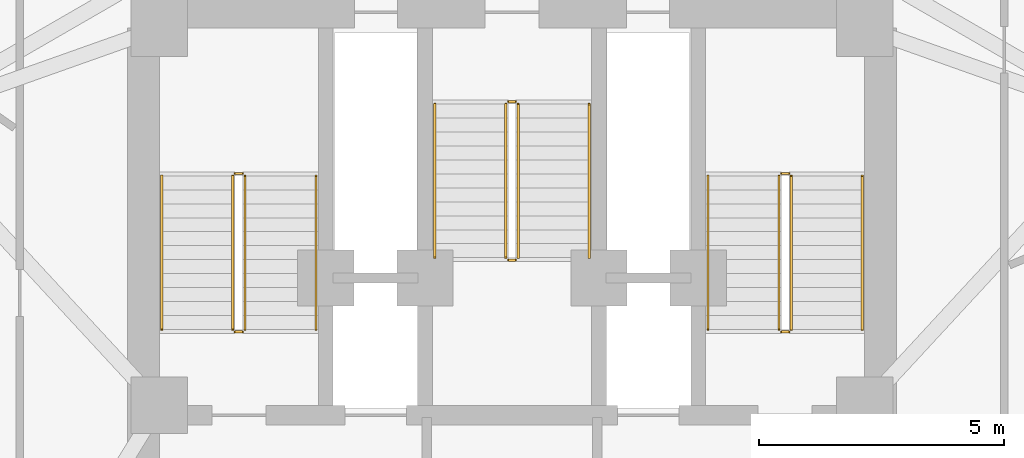
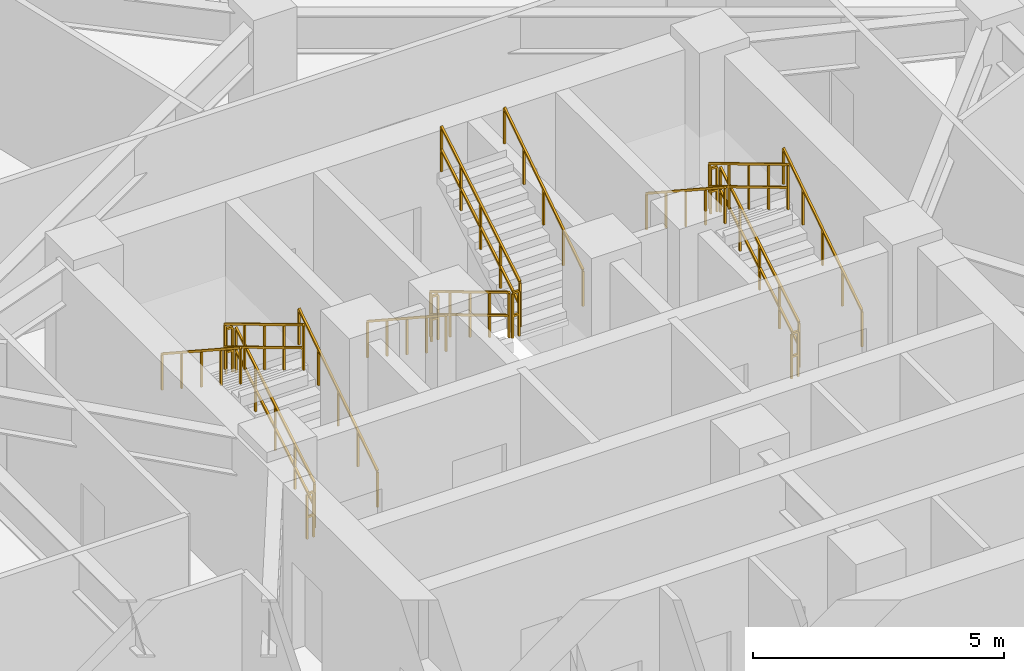
# One storey, part 10 of 11: 18 railings.
"""IFC4 building model written with IfcOpenShell, lengths in metres."""

from ifc_helpers import new_model, si_unit, direction, frame, origin, origin_2d, place, context, subcontext, project, spatial, rectangle, extrude, material, type_object, element, save


model = new_model("IFC4")

# Units and contexts
model_context = context("Model", 3, precision=1e-05, world=origin(), true_north=direction((0.0, 1.0)))
body_context = subcontext(model_context, "Body", "Model", "MODEL_VIEW")
ifc_project = project(units=[si_unit("LENGTHUNIT", "METRE"), si_unit("AREAUNIT", "SQUARE_METRE"), si_unit("VOLUMEUNIT", "CUBIC_METRE"), si_unit("PLANEANGLEUNIT", "RADIAN"), si_unit("MASSUNIT", "GRAM", prefix="KILO")], contexts=[model_context])

# Site, building, storey
site_placement = place(None, origin())
site = spatial("IfcSite", under=ifc_project, at=site_placement, CompositionType="ELEMENT")
building_placement = place(site_placement, origin())
building = spatial("IfcBuilding", under=site, at=building_placement, Name="Apsidion Concourse Tower", CompositionType="ELEMENT")
storey_placement = place(building_placement, frame((0.0, 0.0, 214.699951171875)))
storey = spatial("IfcBuildingStorey", under=building, at=storey_placement, Name="L50", CompositionType="ELEMENT", Elevation=214.699951171875)

# Railings
ifc_material = material(Name="Brushed stainless steel 316", Category="steel")
railing_type_1 = type_object("IfcRailingType", Name="RL-GUARD-1100", PredefinedType="GUARDRAIL", material=ifc_material)
railing_1_placement = place(storey_placement, frame((-5.449951171875, 3.0, 0.1708984375)))
element("IfcRailing", 1, at=railing_1_placement, inside=storey, type_object=railing_type_1, Name="L50 ST1 stair guard 1", PredefinedType="GUARDRAIL", context=body_context, shape_type="SweptSolid", body=[
    extrude(rectangle(XDim=0.048095703125, YDim=0.048095703125, at=origin_2d()), frame((0.0, 0.0, 1.09619140625), z_axis=(0.0, 0.857716804754, 0.514122439544), x_axis=(-1.0, 0.0, 0.0)), (0.0, 0.0, 1.0), 3.655029296875),
    extrude(rectangle(XDim=0.048095703125, YDim=0.048095703125, at=origin_2d()), frame((0.0, 0.0, 0.5361328125), z_axis=(0.0, 0.857716804754, 0.514122439544), x_axis=(-1.0, 0.0, 0.0)), (0.0, 0.0, 1.0), 3.655029296875),
    extrude(rectangle(XDim=0.0419921875, YDim=0.0419921875, at=origin_2d()), origin(), (0.0, 0.0, 1.0), 1.072021484375),
    extrude(rectangle(XDim=0.0419921875, YDim=0.0419921875, at=origin_2d()), frame((0.0, 0.78369140625, 0.4697265625)), (0.0, 0.0, 1.0), 1.072021484375),
    extrude(rectangle(XDim=0.0419921875, YDim=0.0419921875, at=origin_2d()), frame((0.0, 1.5673828125, 0.939453125)), (0.0, 0.0, 1.0), 1.072021484375),
    extrude(rectangle(XDim=0.0419921875, YDim=0.0419921875, at=origin_2d()), frame((0.0, 2.351318359375, 1.409423828125)), (0.0, 0.0, 1.0), 1.072021484375),
    extrude(rectangle(XDim=0.0419921875, YDim=0.0419921875, at=origin_2d()), frame((0.0, 3.135009765625, 1.879150390625)), (0.0, 0.0, 1.0), 1.072021484375),
])
railing_2_placement = place(storey_placement, frame((-5.5, 6.18505859375, 2.050048828125)))
element("IfcRailing", 2, at=railing_2_placement, inside=storey, type_object=railing_type_1, Name="L50 ST1 stair guard 2", PredefinedType="GUARDRAIL", context=body_context, shape_type="SweptSolid", body=[
    extrude(rectangle(XDim=0.048095703125, YDim=0.048095703125, at=origin_2d()), frame((0.0, 0.0, 1.09619140625), z_axis=(-1.0, 0.0, 0.0), x_axis=(0.0, -1.0, 0.0)), (0.0, 0.0, 1.0), 0.14990234375),
    extrude(rectangle(XDim=0.048095703125, YDim=0.048095703125, at=origin_2d()), frame((0.0, 0.0, 0.5361328125), z_axis=(-1.0, 0.0, 0.0), x_axis=(0.0, -1.0, 0.0)), (0.0, 0.0, 1.0), 0.14990234375),
    extrude(rectangle(XDim=0.0419921875, YDim=0.0419921875, at=origin_2d()), origin(), (0.0, 0.0, 1.0), 1.072021484375),
    extrude(rectangle(XDim=0.0419921875, YDim=0.0419921875, at=origin_2d()), frame((-0.14990234375, 0.0, 0.0)), (0.0, 0.0, 1.0), 1.072021484375),
])
railing_3_placement = place(storey_placement, frame((-5.699951171875, 6.135009765625, 2.220947265625)))
element("IfcRailing", 3, at=railing_3_placement, inside=storey, type_object=railing_type_1, Name="L50 ST1 stair guard 3", PredefinedType="GUARDRAIL", context=body_context, shape_type="SweptSolid", body=[
    extrude(rectangle(XDim=0.048095703125, YDim=0.048095703125, at=origin_2d()), frame((0.0, 0.0, 1.09619140625), z_axis=(0.0, -0.857716804754, 0.514122439544), x_axis=(1.0, 0.0, 0.0)), (0.0, 0.0, 1.0), 3.655029296875),
    extrude(rectangle(XDim=0.048095703125, YDim=0.048095703125, at=origin_2d()), frame((0.0, 0.0, 0.5361328125), z_axis=(0.0, -0.857716804754, 0.514122439544), x_axis=(1.0, 0.0, 0.0)), (0.0, 0.0, 1.0), 3.655029296875),
    extrude(rectangle(XDim=0.0419921875, YDim=0.0419921875, at=origin_2d()), origin(), (0.0, 0.0, 1.0), 1.072021484375),
    extrude(rectangle(XDim=0.0419921875, YDim=0.0419921875, at=origin_2d()), frame((0.0, -0.78369140625, 0.4697265625)), (0.0, 0.0, 1.0), 1.072021484375),
    extrude(rectangle(XDim=0.0419921875, YDim=0.0419921875, at=origin_2d()), frame((0.0, -1.5673828125, 0.939453125)), (0.0, 0.0, 1.0), 1.072021484375),
    extrude(rectangle(XDim=0.0419921875, YDim=0.0419921875, at=origin_2d()), frame((0.0, -2.351318359375, 1.409423828125)), (0.0, 0.0, 1.0), 1.072021484375),
    extrude(rectangle(XDim=0.0419921875, YDim=0.0419921875, at=origin_2d()), frame((0.0, -3.135009765625, 1.879150390625)), (0.0, 0.0, 1.0), 1.072021484375),
])
railing_4_placement = place(storey_placement, frame((-5.5, 2.949951171875, 0.0)))
element("IfcRailing", 4, at=railing_4_placement, inside=storey, type_object=railing_type_1, Name="L50 ST1 stair guard 4", PredefinedType="GUARDRAIL", context=body_context, shape_type="SweptSolid", body=[
    extrude(rectangle(XDim=0.048095703125, YDim=0.048095703125, at=origin_2d()), frame((0.0, 0.0, 1.09619140625), z_axis=(-1.0, 0.0, 0.0), x_axis=(0.0, -1.0, 0.0)), (0.0, 0.0, 1.0), 0.14990234375),
    extrude(rectangle(XDim=0.048095703125, YDim=0.048095703125, at=origin_2d()), frame((0.0, 0.0, 0.5361328125), z_axis=(-1.0, 0.0, 0.0), x_axis=(0.0, -1.0, 0.0)), (0.0, 0.0, 1.0), 0.14990234375),
    extrude(rectangle(XDim=0.0419921875, YDim=0.0419921875, at=origin_2d()), origin(), (0.0, 0.0, 1.0), 1.072021484375),
    extrude(rectangle(XDim=0.0419921875, YDim=0.0419921875, at=origin_2d()), frame((-0.14990234375, 0.0, 0.0)), (0.0, 0.0, 1.0), 1.072021484375),
])
railing_5_placement = place(storey_placement, frame((5.699951171875, 3.0, 0.1708984375)))
element("IfcRailing", 5, at=railing_5_placement, inside=storey, type_object=railing_type_1, Name="L50 ST2 stair guard 1", PredefinedType="GUARDRAIL", context=body_context, shape_type="SweptSolid", body=[
    extrude(rectangle(XDim=0.048095703125, YDim=0.048095703125, at=origin_2d()), frame((0.0, 0.0, 1.09619140625), z_axis=(0.0, 0.857716804754, 0.514122439544), x_axis=(-1.0, 0.0, 0.0)), (0.0, 0.0, 1.0), 3.655029296875),
    extrude(rectangle(XDim=0.048095703125, YDim=0.048095703125, at=origin_2d()), frame((0.0, 0.0, 0.5361328125), z_axis=(0.0, 0.857716804754, 0.514122439544), x_axis=(-1.0, 0.0, 0.0)), (0.0, 0.0, 1.0), 3.655029296875),
    extrude(rectangle(XDim=0.0419921875, YDim=0.0419921875, at=origin_2d()), origin(), (0.0, 0.0, 1.0), 1.072021484375),
    extrude(rectangle(XDim=0.0419921875, YDim=0.0419921875, at=origin_2d()), frame((0.0, 0.78369140625, 0.4697265625)), (0.0, 0.0, 1.0), 1.072021484375),
    extrude(rectangle(XDim=0.0419921875, YDim=0.0419921875, at=origin_2d()), frame((0.0, 1.5673828125, 0.939453125)), (0.0, 0.0, 1.0), 1.072021484375),
    extrude(rectangle(XDim=0.0419921875, YDim=0.0419921875, at=origin_2d()), frame((0.0, 2.351318359375, 1.409423828125)), (0.0, 0.0, 1.0), 1.072021484375),
    extrude(rectangle(XDim=0.0419921875, YDim=0.0419921875, at=origin_2d()), frame((0.0, 3.135009765625, 1.879150390625)), (0.0, 0.0, 1.0), 1.072021484375),
])
railing_6_placement = place(storey_placement, frame((5.64990234375, 6.18505859375, 2.050048828125)))
element("IfcRailing", 6, at=railing_6_placement, inside=storey, type_object=railing_type_1, Name="L50 ST2 stair guard 2", PredefinedType="GUARDRAIL", context=body_context, shape_type="SweptSolid", body=[
    extrude(rectangle(XDim=0.048095703125, YDim=0.048095703125, at=origin_2d()), frame((0.0, 0.0, 1.09619140625), z_axis=(-1.0, 0.0, 0.0), x_axis=(0.0, -1.0, 0.0)), (0.0, 0.0, 1.0), 0.14990234375),
    extrude(rectangle(XDim=0.048095703125, YDim=0.048095703125, at=origin_2d()), frame((0.0, 0.0, 0.5361328125), z_axis=(-1.0, 0.0, 0.0), x_axis=(0.0, -1.0, 0.0)), (0.0, 0.0, 1.0), 0.14990234375),
    extrude(rectangle(XDim=0.0419921875, YDim=0.0419921875, at=origin_2d()), origin(), (0.0, 0.0, 1.0), 1.072021484375),
    extrude(rectangle(XDim=0.0419921875, YDim=0.0419921875, at=origin_2d()), frame((-0.14990234375, 0.0, 0.0)), (0.0, 0.0, 1.0), 1.072021484375),
])
railing_7_placement = place(storey_placement, frame((5.449951171875, 6.135009765625, 2.220947265625)))
element("IfcRailing", 7, at=railing_7_placement, inside=storey, type_object=railing_type_1, Name="L50 ST2 stair guard 3", PredefinedType="GUARDRAIL", context=body_context, shape_type="SweptSolid", body=[
    extrude(rectangle(XDim=0.048095703125, YDim=0.048095703125, at=origin_2d()), frame((0.0, 0.0, 1.09619140625), z_axis=(0.0, -0.857716804754, 0.514122439544), x_axis=(1.0, 0.0, 0.0)), (0.0, 0.0, 1.0), 3.655029296875),
    extrude(rectangle(XDim=0.048095703125, YDim=0.048095703125, at=origin_2d()), frame((0.0, 0.0, 0.5361328125), z_axis=(0.0, -0.857716804754, 0.514122439544), x_axis=(1.0, 0.0, 0.0)), (0.0, 0.0, 1.0), 3.655029296875),
    extrude(rectangle(XDim=0.0419921875, YDim=0.0419921875, at=origin_2d()), origin(), (0.0, 0.0, 1.0), 1.072021484375),
    extrude(rectangle(XDim=0.0419921875, YDim=0.0419921875, at=origin_2d()), frame((0.0, -0.78369140625, 0.4697265625)), (0.0, 0.0, 1.0), 1.072021484375),
    extrude(rectangle(XDim=0.0419921875, YDim=0.0419921875, at=origin_2d()), frame((0.0, -1.5673828125, 0.939453125)), (0.0, 0.0, 1.0), 1.072021484375),
    extrude(rectangle(XDim=0.0419921875, YDim=0.0419921875, at=origin_2d()), frame((0.0, -2.351318359375, 1.409423828125)), (0.0, 0.0, 1.0), 1.072021484375),
    extrude(rectangle(XDim=0.0419921875, YDim=0.0419921875, at=origin_2d()), frame((0.0, -3.135009765625, 1.879150390625)), (0.0, 0.0, 1.0), 1.072021484375),
])
railing_8_placement = place(storey_placement, frame((5.64990234375, 2.949951171875, 0.0)))
element("IfcRailing", 8, at=railing_8_placement, inside=storey, type_object=railing_type_1, Name="L50 ST2 stair guard 4", PredefinedType="GUARDRAIL", context=body_context, shape_type="SweptSolid", body=[
    extrude(rectangle(XDim=0.048095703125, YDim=0.048095703125, at=origin_2d()), frame((0.0, 0.0, 1.09619140625), z_axis=(-1.0, 0.0, 0.0), x_axis=(0.0, -1.0, 0.0)), (0.0, 0.0, 1.0), 0.14990234375),
    extrude(rectangle(XDim=0.048095703125, YDim=0.048095703125, at=origin_2d()), frame((0.0, 0.0, 0.5361328125), z_axis=(-1.0, 0.0, 0.0), x_axis=(0.0, -1.0, 0.0)), (0.0, 0.0, 1.0), 0.14990234375),
    extrude(rectangle(XDim=0.0419921875, YDim=0.0419921875, at=origin_2d()), origin(), (0.0, 0.0, 1.0), 1.072021484375),
    extrude(rectangle(XDim=0.0419921875, YDim=0.0419921875, at=origin_2d()), frame((-0.14990234375, 0.0, 0.0)), (0.0, 0.0, 1.0), 1.072021484375),
])
railing_9_placement = place(storey_placement, frame((-0.125, 7.60009765625, 0.1708984375)))
element("IfcRailing", 9, at=railing_9_placement, inside=storey, type_object=railing_type_1, Name="L50 ST3 stair guard 1", PredefinedType="GUARDRAIL", context=body_context, shape_type="SweptSolid", body=[
    extrude(rectangle(XDim=0.048095703125, YDim=0.048095703125, at=origin_2d()), frame((0.0, 0.0, 1.09619140625), z_axis=(0.0, -0.857716804754, 0.514122439544), x_axis=(1.0, 0.0, 0.0)), (0.0, 0.0, 1.0), 3.655029296875),
    extrude(rectangle(XDim=0.048095703125, YDim=0.048095703125, at=origin_2d()), frame((0.0, 0.0, 0.5361328125), z_axis=(0.0, -0.857716804754, 0.514122439544), x_axis=(1.0, 0.0, 0.0)), (0.0, 0.0, 1.0), 3.655029296875),
    extrude(rectangle(XDim=0.0419921875, YDim=0.0419921875, at=origin_2d()), origin(), (0.0, 0.0, 1.0), 1.072021484375),
    extrude(rectangle(XDim=0.0419921875, YDim=0.0419921875, at=origin_2d()), frame((0.0, -0.78369140625, 0.4697265625)), (0.0, 0.0, 1.0), 1.072021484375),
    extrude(rectangle(XDim=0.0419921875, YDim=0.0419921875, at=origin_2d()), frame((0.0, -1.5673828125, 0.939453125)), (0.0, 0.0, 1.0), 1.072021484375),
    extrude(rectangle(XDim=0.0419921875, YDim=0.0419921875, at=origin_2d()), frame((0.0, -2.351318359375, 1.409423828125)), (0.0, 0.0, 1.0), 1.072021484375),
    extrude(rectangle(XDim=0.0419921875, YDim=0.0419921875, at=origin_2d()), frame((0.0, -3.135009765625, 1.879150390625)), (0.0, 0.0, 1.0), 1.072021484375),
])
railing_10_placement = place(storey_placement, frame((-0.074951171875, 4.4150390625, 2.050048828125)))
element("IfcRailing", 10, at=railing_10_placement, inside=storey, type_object=railing_type_1, Name="L50 ST3 stair guard 2", PredefinedType="GUARDRAIL", context=body_context, shape_type="SweptSolid", body=[
    extrude(rectangle(XDim=0.048095703125, YDim=0.048095703125, at=origin_2d()), frame((0.0, 0.0, 1.09619140625), z_axis=(1.0, 0.0, 0.0), x_axis=(0.0, 1.0, 0.0)), (0.0, 0.0, 1.0), 0.14990234375),
    extrude(rectangle(XDim=0.048095703125, YDim=0.048095703125, at=origin_2d()), frame((0.0, 0.0, 0.5361328125), z_axis=(1.0, 0.0, 0.0), x_axis=(0.0, 1.0, 0.0)), (0.0, 0.0, 1.0), 0.14990234375),
    extrude(rectangle(XDim=0.0419921875, YDim=0.0419921875, at=origin_2d()), origin(), (0.0, 0.0, 1.0), 1.072021484375),
    extrude(rectangle(XDim=0.0419921875, YDim=0.0419921875, at=origin_2d()), frame((0.14990234375, 0.0, 0.0)), (0.0, 0.0, 1.0), 1.072021484375),
])
railing_11_placement = place(storey_placement, frame((0.125, 4.465087890625, 2.220947265625)))
element("IfcRailing", 11, at=railing_11_placement, inside=storey, type_object=railing_type_1, Name="L50 ST3 stair guard 3", PredefinedType="GUARDRAIL", context=body_context, shape_type="SweptSolid", body=[
    extrude(rectangle(XDim=0.048095703125, YDim=0.048095703125, at=origin_2d()), frame((0.0, 0.0, 1.09619140625), z_axis=(0.0, 0.857716804754, 0.514122439544), x_axis=(-1.0, 0.0, 0.0)), (0.0, 0.0, 1.0), 3.655029296875),
    extrude(rectangle(XDim=0.048095703125, YDim=0.048095703125, at=origin_2d()), frame((0.0, 0.0, 0.5361328125), z_axis=(0.0, 0.857716804754, 0.514122439544), x_axis=(-1.0, 0.0, 0.0)), (0.0, 0.0, 1.0), 3.655029296875),
    extrude(rectangle(XDim=0.0419921875, YDim=0.0419921875, at=origin_2d()), origin(), (0.0, 0.0, 1.0), 1.072021484375),
    extrude(rectangle(XDim=0.0419921875, YDim=0.0419921875, at=origin_2d()), frame((0.0, 0.78369140625, 0.4697265625)), (0.0, 0.0, 1.0), 1.072021484375),
    extrude(rectangle(XDim=0.0419921875, YDim=0.0419921875, at=origin_2d()), frame((0.0, 1.5673828125, 0.939453125)), (0.0, 0.0, 1.0), 1.072021484375),
    extrude(rectangle(XDim=0.0419921875, YDim=0.0419921875, at=origin_2d()), frame((0.0, 2.351318359375, 1.409423828125)), (0.0, 0.0, 1.0), 1.072021484375),
    extrude(rectangle(XDim=0.0419921875, YDim=0.0419921875, at=origin_2d()), frame((0.0, 3.135009765625, 1.879150390625)), (0.0, 0.0, 1.0), 1.072021484375),
])
railing_12_placement = place(storey_placement, frame((-0.074951171875, 7.64990234375, 0.0)))
element("IfcRailing", 12, at=railing_12_placement, inside=storey, type_object=railing_type_1, Name="L50 ST3 stair guard 4", PredefinedType="GUARDRAIL", context=body_context, shape_type="SweptSolid", body=[
    extrude(rectangle(XDim=0.048095703125, YDim=0.048095703125, at=origin_2d()), frame((0.0, 0.0, 1.09619140625), z_axis=(1.0, 0.0, 0.0), x_axis=(0.0, 1.0, 0.0)), (0.0, 0.0, 1.0), 0.14990234375),
    extrude(rectangle(XDim=0.048095703125, YDim=0.048095703125, at=origin_2d()), frame((0.0, 0.0, 0.5361328125), z_axis=(1.0, 0.0, 0.0), x_axis=(0.0, 1.0, 0.0)), (0.0, 0.0, 1.0), 0.14990234375),
    extrude(rectangle(XDim=0.0419921875, YDim=0.0419921875, at=origin_2d()), origin(), (0.0, 0.0, 1.0), 1.072021484375),
    extrude(rectangle(XDim=0.0419921875, YDim=0.0419921875, at=origin_2d()), frame((0.14990234375, 0.0, 0.0)), (0.0, 0.0, 1.0), 1.072021484375),
])
railing_type_2 = type_object("IfcRailingType", Name="RL-HAND-900", PredefinedType="HANDRAIL", material=ifc_material)
railing_13_placement = place(storey_placement, frame((-4.0, 3.0, 0.1708984375)))
element("IfcRailing", 13, at=railing_13_placement, inside=storey, type_object=railing_type_2, Name="L50 ST1 stair handrail 1", PredefinedType="HANDRAIL", context=body_context, shape_type="SweptSolid", body=[
    extrude(rectangle(XDim=0.048095703125, YDim=0.048095703125, at=origin_2d()), frame((0.0, 0.0, 0.8759765625), z_axis=(0.0, 0.836940907821, 0.547293263996), x_axis=(-1.0, 0.0, 0.0)), (0.0, 0.0, 1.0), 3.745849609375),
    extrude(rectangle(XDim=0.0419921875, YDim=0.0419921875, at=origin_2d()), origin(), (0.0, 0.0, 1.0), 0.851806640625),
    extrude(rectangle(XDim=0.0419921875, YDim=0.0419921875, at=origin_2d()), frame((0.0, 0.78369140625, 0.512451171875)), (0.0, 0.0, 1.0), 0.851806640625),
    extrude(rectangle(XDim=0.0419921875, YDim=0.0419921875, at=origin_2d()), frame((0.0, 1.5673828125, 1.02490234375)), (0.0, 0.0, 1.0), 0.851806640625),
    extrude(rectangle(XDim=0.0419921875, YDim=0.0419921875, at=origin_2d()), frame((0.0, 2.351318359375, 1.53759765625)), (0.0, 0.0, 1.0), 0.851806640625),
    extrude(rectangle(XDim=0.0419921875, YDim=0.0419921875, at=origin_2d()), frame((0.0, 3.135009765625, 2.050048828125)), (0.0, 0.0, 1.0), 0.851806640625),
])
railing_14_placement = place(storey_placement, frame((-7.14990234375, 6.135009765625, 2.220947265625)))
element("IfcRailing", 14, at=railing_14_placement, inside=storey, type_object=railing_type_2, Name="L50 ST1 stair handrail 2", PredefinedType="HANDRAIL", context=body_context, shape_type="SweptSolid", body=[
    extrude(rectangle(XDim=0.048095703125, YDim=0.048095703125, at=origin_2d()), frame((0.0, 0.0, 0.8759765625), z_axis=(0.0, -0.836940907821, 0.547293263996), x_axis=(1.0, 0.0, 0.0)), (0.0, 0.0, 1.0), 3.745849609375),
    extrude(rectangle(XDim=0.0419921875, YDim=0.0419921875, at=origin_2d()), origin(), (0.0, 0.0, 1.0), 0.851806640625),
    extrude(rectangle(XDim=0.0419921875, YDim=0.0419921875, at=origin_2d()), frame((0.0, -0.78369140625, 0.512451171875)), (0.0, 0.0, 1.0), 0.851806640625),
    extrude(rectangle(XDim=0.0419921875, YDim=0.0419921875, at=origin_2d()), frame((0.0, -1.5673828125, 1.02490234375)), (0.0, 0.0, 1.0), 0.851806640625),
    extrude(rectangle(XDim=0.0419921875, YDim=0.0419921875, at=origin_2d()), frame((0.0, -2.351318359375, 1.53759765625)), (0.0, 0.0, 1.0), 0.851806640625),
    extrude(rectangle(XDim=0.0419921875, YDim=0.0419921875, at=origin_2d()), frame((0.0, -3.135009765625, 2.050048828125)), (0.0, 0.0, 1.0), 0.851806640625),
])
railing_15_placement = place(storey_placement, frame((7.14990234375, 3.0, 0.1708984375)))
element("IfcRailing", 15, at=railing_15_placement, inside=storey, type_object=railing_type_2, Name="L50 ST2 stair handrail 1", PredefinedType="HANDRAIL", context=body_context, shape_type="SweptSolid", body=[
    extrude(rectangle(XDim=0.048095703125, YDim=0.048095703125, at=origin_2d()), frame((0.0, 0.0, 0.8759765625), z_axis=(0.0, 0.836940907821, 0.547293263996), x_axis=(-1.0, 0.0, 0.0)), (0.0, 0.0, 1.0), 3.745849609375),
    extrude(rectangle(XDim=0.0419921875, YDim=0.0419921875, at=origin_2d()), origin(), (0.0, 0.0, 1.0), 0.851806640625),
    extrude(rectangle(XDim=0.0419921875, YDim=0.0419921875, at=origin_2d()), frame((0.0, 0.78369140625, 0.512451171875)), (0.0, 0.0, 1.0), 0.851806640625),
    extrude(rectangle(XDim=0.0419921875, YDim=0.0419921875, at=origin_2d()), frame((0.0, 1.5673828125, 1.02490234375)), (0.0, 0.0, 1.0), 0.851806640625),
    extrude(rectangle(XDim=0.0419921875, YDim=0.0419921875, at=origin_2d()), frame((0.0, 2.351318359375, 1.53759765625)), (0.0, 0.0, 1.0), 0.851806640625),
    extrude(rectangle(XDim=0.0419921875, YDim=0.0419921875, at=origin_2d()), frame((0.0, 3.135009765625, 2.050048828125)), (0.0, 0.0, 1.0), 0.851806640625),
])
for number, where, name in (
    (16, (4.0, 6.135009765625, 2.220947265625), "L50 ST2 stair handrail 2"),
    (17, (-1.574951171875, 7.60009765625, 0.1708984375), "L50 ST3 stair handrail 1"),
):
    element("IfcRailing", number, at=place(storey_placement, frame(where)), inside=storey, type_object=railing_type_2, Name=name, PredefinedType="HANDRAIL", context=body_context, shape_type="SweptSolid", body=[
        extrude(rectangle(XDim=0.048095703125, YDim=0.048095703125, at=origin_2d()), frame((0.0, 0.0, 0.8759765625), z_axis=(0.0, -0.836940907821, 0.547293263996), x_axis=(1.0, 0.0, 0.0)), (0.0, 0.0, 1.0), 3.745849609375),
        extrude(rectangle(XDim=0.0419921875, YDim=0.0419921875, at=origin_2d()), origin(), (0.0, 0.0, 1.0), 0.851806640625),
        extrude(rectangle(XDim=0.0419921875, YDim=0.0419921875, at=origin_2d()), frame((0.0, -0.78369140625, 0.512451171875)), (0.0, 0.0, 1.0), 0.851806640625),
        extrude(rectangle(XDim=0.0419921875, YDim=0.0419921875, at=origin_2d()), frame((0.0, -1.5673828125, 1.02490234375)), (0.0, 0.0, 1.0), 0.851806640625),
        extrude(rectangle(XDim=0.0419921875, YDim=0.0419921875, at=origin_2d()), frame((0.0, -2.351318359375, 1.53759765625)), (0.0, 0.0, 1.0), 0.851806640625),
        extrude(rectangle(XDim=0.0419921875, YDim=0.0419921875, at=origin_2d()), frame((0.0, -3.135009765625, 2.050048828125)), (0.0, 0.0, 1.0), 0.851806640625),
    ])
railing_16_placement = place(storey_placement, frame((1.574951171875, 4.465087890625, 2.220947265625)))
element("IfcRailing", 18, at=railing_16_placement, inside=storey, type_object=railing_type_2, Name="L50 ST3 stair handrail 2", PredefinedType="HANDRAIL", context=body_context, shape_type="SweptSolid", body=[
    extrude(rectangle(XDim=0.048095703125, YDim=0.048095703125, at=origin_2d()), frame((0.0, 0.0, 0.8759765625), z_axis=(0.0, 0.836940907821, 0.547293263996), x_axis=(-1.0, 0.0, 0.0)), (0.0, 0.0, 1.0), 3.745849609375),
    extrude(rectangle(XDim=0.0419921875, YDim=0.0419921875, at=origin_2d()), origin(), (0.0, 0.0, 1.0), 0.851806640625),
    extrude(rectangle(XDim=0.0419921875, YDim=0.0419921875, at=origin_2d()), frame((0.0, 0.78369140625, 0.512451171875)), (0.0, 0.0, 1.0), 0.851806640625),
    extrude(rectangle(XDim=0.0419921875, YDim=0.0419921875, at=origin_2d()), frame((0.0, 1.5673828125, 1.02490234375)), (0.0, 0.0, 1.0), 0.851806640625),
    extrude(rectangle(XDim=0.0419921875, YDim=0.0419921875, at=origin_2d()), frame((0.0, 2.351318359375, 1.53759765625)), (0.0, 0.0, 1.0), 0.851806640625),
    extrude(rectangle(XDim=0.0419921875, YDim=0.0419921875, at=origin_2d()), frame((0.0, 3.135009765625, 2.050048828125)), (0.0, 0.0, 1.0), 0.851806640625),
])

save(model, "model.ifc")
